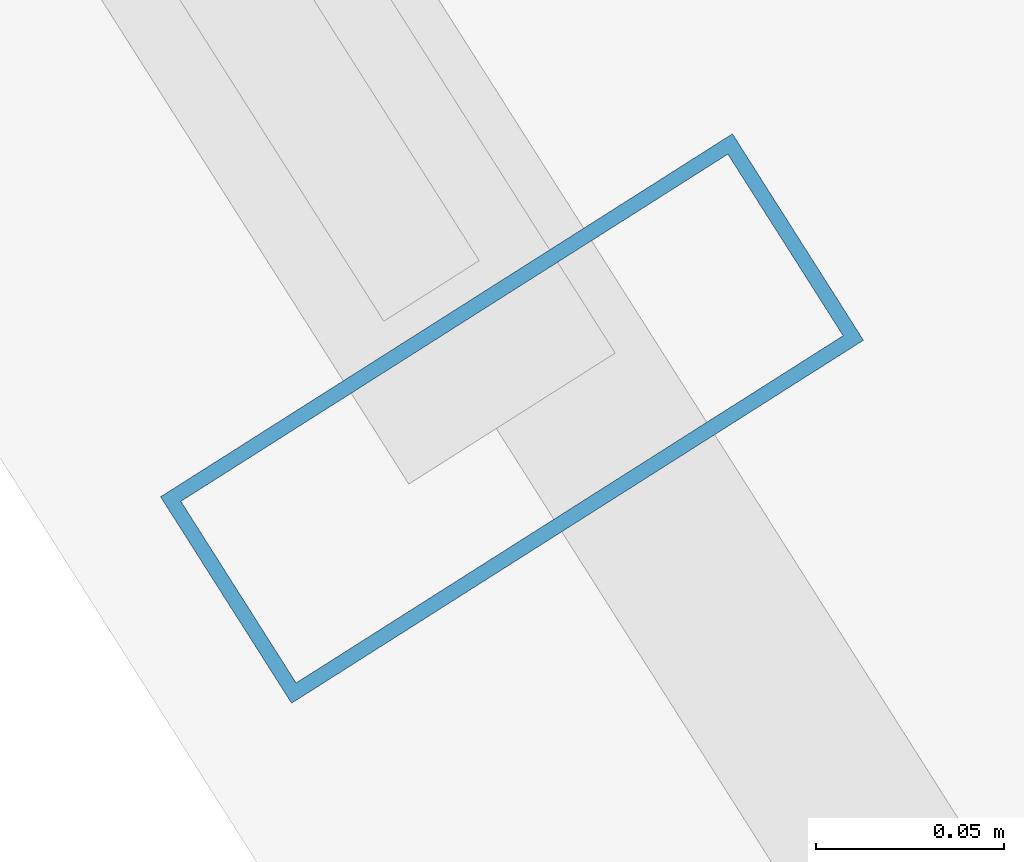
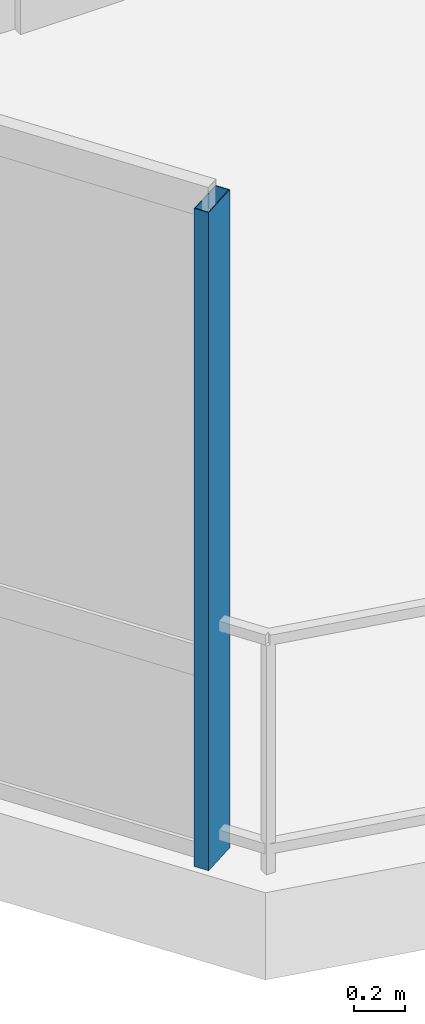
# One storey, part 4 of 25: 1 member, 1 element without a shape of its own.
"""IFC4 building model written with IfcOpenShell, lengths in metres."""

from ifc_helpers import new_model, si_unit, direction, frame, origin, origin_2d, place, context, subcontext, project, spatial, hollow_rectangle, extrude, material, layer, layer_set, material_profile, profile_set, type_object, element, aggregate, save


model = new_model("IFC4")

# Units and contexts
model_context = context("Model", 3, precision=1e-05, world=origin(), true_north=direction((0.0, 1.0)))
body_context = subcontext(model_context, "Body", "Model", "MODEL_VIEW")
ifc_project = project(units=[si_unit("LENGTHUNIT", "METRE"), si_unit("AREAUNIT", "SQUARE_METRE"), si_unit("VOLUMEUNIT", "CUBIC_METRE"), si_unit("PLANEANGLEUNIT", "RADIAN"), si_unit("MASSUNIT", "GRAM", prefix="KILO")], contexts=[model_context])

# Site, building, storey
site_placement = place(None, origin())
site = spatial("IfcSite", under=ifc_project, at=site_placement, CompositionType="ELEMENT")
building_placement = place(site_placement, origin())
building = spatial("IfcBuilding", under=site, at=building_placement, Name="Qarnah Convention Tower", CompositionType="ELEMENT")
storey_placement = place(building_placement, frame((0.0, 0.0, 76.35009765625)))
storey = spatial("IfcBuildingStorey", under=building, at=storey_placement, Name="L19", CompositionType="ELEMENT", Elevation=76.35009765625)

# Curtain wall, member
ifc_material_1 = material(Name="Tempered Low-E dark glass", Category="glass")
ifc_layer = layer(ifc_material_1, 0.169921875)
ifc_layer_set = layer_set([ifc_layer], Name="Tempered Low-E dark glass")
curtain_wall_type = type_object("IfcCurtainWallType", Name="CWS-02", PredefinedType="NOTDEFINED", material=ifc_layer_set)
curtain_wall_placement = place(storey_placement, origin())
curtain_wall = element("IfcCurtainWall", 1, at=curtain_wall_placement, inside=storey, type_object=curtain_wall_type, Name="L19 unitised curtain wall CW-L19-F3", PredefinedType="NOTDEFINED")
ifc_material_2 = material(Name="Black anodised aluminium", Category="aluminium")
ifc_material_profile = material_profile(ifc_material_2, hollow_rectangle(XDim=0.06494140625, YDim=0.179931640625, WallThickness=0.00390625, at=origin_2d()), Name="MUL-65X180")
ifc_profile_set = profile_set([ifc_material_profile], Name="Black anodised aluminium")
member_type = type_object("IfcMemberType", Name="MUL-T2", PredefinedType="MULLION", material=ifc_profile_set)
member_placement = place(storey_placement, frame((31.81591796875, 1.826904296875, 0.0), z_axis=(0.0, 0.0, 1.0), x_axis=(-0.535845377326, 0.844316132499, 0.0)))
member = element("IfcMember", 2, at=member_placement, type_object=member_type, Name="CW-L19-F3 mullion 1", PredefinedType="MULLION", context=body_context, shape_type="SweptSolid", body=[
    extrude(hollow_rectangle(XDim=0.06494140625, YDim=0.179931640625, WallThickness=0.00390625, at=origin_2d()), origin(), (0.0, 0.0, 1.0), 3.169921875),
])
aggregate(curtain_wall, [member])

save(model, "model.ifc")
